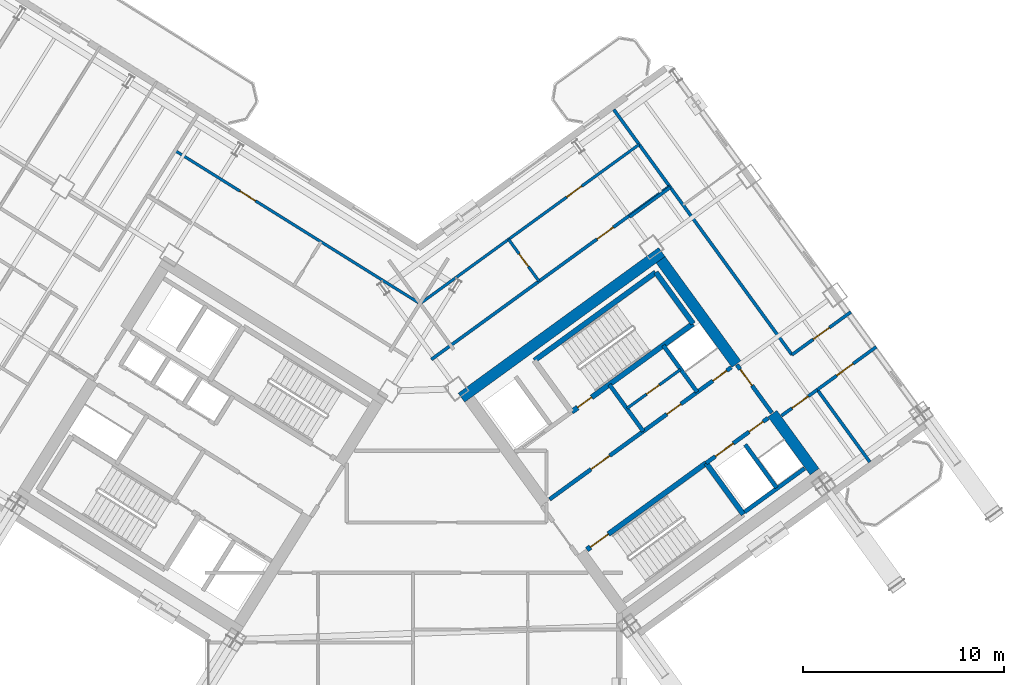
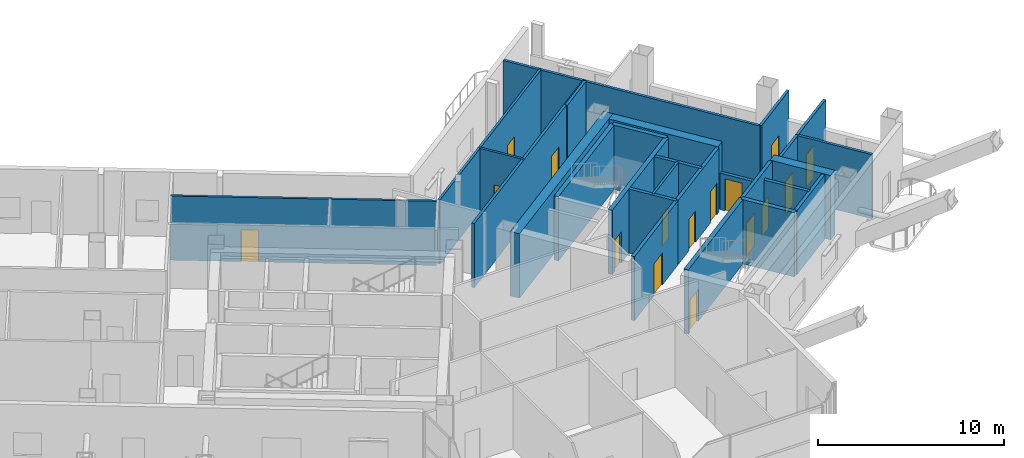
# One storey, part 24 of 32: 27 walls, 16 doors, 16 openings.
"""IFC4 building model written with IfcOpenShell, lengths in metres."""

from ifc_helpers import new_model, si_unit, direction, frame, frame_2d, origin, place, context, subcontext, project, spatial, rectangle, extrude, source, transform, mapped, material, layer, layer_set, type_object, element, fill, save


model = new_model("IFC4")

# Units and contexts
model_context = context("Model", 3, precision=1e-05, world=origin(), true_north=direction((0.0, 1.0)))
body_context = subcontext(model_context, "Body", "Model", "MODEL_VIEW")
ifc_project = project(units=[si_unit("LENGTHUNIT", "METRE"), si_unit("AREAUNIT", "SQUARE_METRE"), si_unit("VOLUMEUNIT", "CUBIC_METRE"), si_unit("PLANEANGLEUNIT", "RADIAN"), si_unit("MASSUNIT", "GRAM", prefix="KILO")], contexts=[model_context])

# Site, building, storey
site_placement = place(None, origin())
site = spatial("IfcSite", under=ifc_project, at=site_placement, CompositionType="ELEMENT")
building_placement = place(site_placement, origin())
building = spatial("IfcBuilding", under=site, at=building_placement, Name="Tlacorven Tower", CompositionType="ELEMENT")
storey_placement = place(building_placement, frame((0.0, 0.0, 123.300048828125)))
storey = spatial("IfcBuildingStorey", under=building, at=storey_placement, Name="L31", CompositionType="ELEMENT", Elevation=123.300048828125)

# Walls
ifc_material_1 = material(Name="Concrete C60/75", Category="concrete")
ifc_layer_1 = layer(ifc_material_1, 0.550048828125)
ifc_layer_set_1 = layer_set([ifc_layer_1], Name="Concrete C60/75")
wall_type_1 = type_object("IfcWallType", Name="WL-COR-550", PredefinedType="SHEAR", material=ifc_layer_set_1)
wall_1_placement = place(storey_placement, frame((44.364990234375, 24.142333984375, 0.0), z_axis=(0.0, 0.0, 1.0), x_axis=(0.809024304885, 0.587775190107, 0.0)))
element("IfcWall", 1, at=wall_1_placement, inside=storey, type_object=wall_type_1, Name="L31 E core shear wall S2", PredefinedType="SHEAR", context=body_context, shape_type="SweptSolid", body=[
    extrude(rectangle(XDim=12.340087890625, YDim=0.550048828125, at=frame_2d((6.169921875, 0.0))), origin(), (0.0, 0.0, 1.0), 4.219970703125),
])
wall_2_placement = place(storey_placement, frame((61.9580078125, 20.453857421875, 0.0), z_axis=(0.0, 0.0, 1.0), x_axis=(-0.587802113096, 0.809004744015, 0.0)))
element("IfcWall", 2, at=wall_2_placement, inside=storey, type_object=wall_type_1, Name="L31 E core end wall E2.1", PredefinedType="SHEAR", context=body_context, shape_type="SweptSolid", body=[
    extrude(rectangle(XDim=3.574951171875, YDim=0.550048828125, at=frame_2d((1.78759765625, 0.0))), origin(), (0.0, 0.0, 1.0), 4.219970703125),
])
wall_3_placement = place(storey_placement, frame((58.06396484375, 25.8134765625, 0.0), z_axis=(0.0, 0.0, 1.0), x_axis=(-0.587764933797, 0.809031756236, 0.0)))
element("IfcWall", 3, at=wall_3_placement, inside=storey, type_object=wall_type_1, Name="L31 E core end wall E2.2", PredefinedType="SHEAR", context=body_context, shape_type="SweptSolid", body=[
    extrude(rectangle(XDim=6.425048828125, YDim=0.550048828125, at=frame_2d((3.21240234375, 0.0))), origin(), (0.0, 0.0, 1.0), 4.219970703125),
])

# Wall, opening, door
ifc_material_2 = material(Name="Gypsum plasterboard acoustic partition", Category="gypsum")
ifc_layer_2 = layer(ifc_material_2, 0.159912109375)
ifc_layer_set_2 = layer_set([ifc_layer_2], Name="Gypsum plasterboard acoustic partition")
wall_type_2 = type_object("IfcWallType", Name="WL-DEM-160", PredefinedType="PARTITIONING", material=ifc_layer_set_2)
wall_4_placement = place(storey_placement, frame((60.306884765625, 23.240478515625, 0.0), z_axis=(0.0, 0.0, 1.0), x_axis=(0.80898466188, 0.58782975158, 0.0)))
wall_4 = element("IfcWall", 4, at=wall_4_placement, inside=storey, type_object=wall_type_2, Name="L31 partition 87", PredefinedType="PARTITIONING", context=body_context, shape_type="SweptSolid", body=[
    extrude(rectangle(XDim=2.207763671875, YDim=0.159912109375, at=frame_2d((1.10400390625, 0.0))), origin(), (0.0, 0.0, 1.0), 4.2099609375),
])
opening_1_placement = place(wall_4_placement, frame((0.64794921875, 0.0, 0.0)))
opening_1 = element("IfcOpeningElement", 5, at=opening_1_placement, cuts=wall_4, Name="Opening D11", PredefinedType="OPENING", context=body_context, shape_type="SweptSolid", body=[
    extrude(rectangle(XDim=1.0, YDim=2.10009765625, at=frame_2d((0.5, 1.050048828125))), frame((0.0, 0.08984375, 0.0), z_axis=(0.0, -1.0, 0.0), x_axis=(1.0, 0.0, 0.0)), (0.0, 0.0, 1.0), 0.179931640625),
])
ifc_material_3 = material(Name="Fire-rated steel door assembly", Category="steel")
door_type_1 = type_object("IfcDoorType", Name="DR-FLT-FD60-1000", OperationType="NOTDEFINED", PredefinedType="DOOR", material=ifc_material_3)
shared_shape_1 = source(origin(), body_context, "Body", "SweptSolid", [
    extrude(rectangle(XDim=1.0, YDim=2.10009765625, at=frame_2d((0.5, 1.050048828125))), frame((0.0, 0.02490234375, 0.0), z_axis=(0.0, -1.0, 0.0), x_axis=(1.0, 0.0, 0.0)), (0.0, 0.0, 1.0), 0.050048828125),
])
door_1_placement = place(opening_1_placement, frame((1.0, 0.0, 0.0), z_axis=(0.0, 0.0, 1.0), x_axis=(-1.0, 0.0, 0.0)))
door_1 = element("IfcDoor", 6, at=door_1_placement, inside=storey, type_object=door_type_1, Name="L31 door 056", OperationType="SINGLE_SWING_RIGHT", OverallHeight=2.10009765625, OverallWidth=1.0, PredefinedType="DOOR", context=body_context, shape_type="MappedRepresentation", body=[
    mapped(shared_shape_1, transform((0.0, 0.0, 0.0), scale=1.0)),
])
fill(opening_1, door_1)

# Walls
wall_5_placement = place(storey_placement, frame((52.73876953125, 33.143310546875, 0.0), z_axis=(0.0, 0.0, 1.0), x_axis=(0.809000999347, 0.58780726693, 0.0)))
element("IfcWall", 7, at=wall_5_placement, inside=storey, type_object=wall_type_2, Name="L31 partition 88", PredefinedType="PARTITIONING", context=body_context, shape_type="SweptSolid", body=[
    extrude(rectangle(XDim=2.510009765625, YDim=0.159912109375, at=frame_2d((1.2548828125, 0.0))), origin(), (0.0, 0.0, 1.0), 4.2099609375),
])
wall_6_placement = place(storey_placement, frame((64.708740234375, 20.93798828125, 0.0), z_axis=(0.0, 0.0, 1.0), x_axis=(-0.587773666605, 0.809025411743, 0.0)))
element("IfcWall", 8, at=wall_6_placement, inside=storey, type_object=wall_type_2, Name="L31 partition 89", PredefinedType="PARTITIONING", context=body_context, shape_type="SweptSolid", body=[
    extrude(rectangle(XDim=4.4501953125, YDim=0.159912109375, at=frame_2d((2.22509765625, 0.0))), origin(), (0.0, 0.0, 1.0), 4.2099609375),
])
wall_7_placement = place(storey_placement, frame((60.829345703125, 26.277587890625, 0.0), z_axis=(0.0, 0.0, 1.0), x_axis=(-0.587777474174, 0.809022645451, 0.0)))
element("IfcWall", 9, at=wall_7_placement, inside=storey, type_object=wall_type_2, Name="L31 partition 90", PredefinedType="PARTITIONING", context=body_context, shape_type="SweptSolid", body=[
    extrude(rectangle(XDim=15.10009765625, YDim=0.159912109375, at=frame_2d((7.550048828125, 0.0))), origin(), (0.0, 0.0, 1.0), 4.2099609375),
])

# Wall, opening, door
wall_8_placement = place(storey_placement, frame((62.093017578125, 24.538330078125, 0.0), z_axis=(0.0, 0.0, 1.0), x_axis=(0.809035546126, 0.58775971715, 0.0)))
wall_8 = element("IfcWall", 10, at=wall_8_placement, inside=storey, type_object=wall_type_2, Name="L31 partition 92", PredefinedType="PARTITIONING", context=body_context, shape_type="SweptSolid", body=[
    extrude(rectangle(XDim=3.6298828125, YDim=0.159912109375, at=frame_2d((1.81494140625, 0.0))), origin(), (0.0, 0.0, 1.0), 4.2099609375),
])
opening_2_placement = place(wall_8_placement, frame((1.199951171875, 0.0, 0.0)))
opening_2 = element("IfcOpeningElement", 11, at=opening_2_placement, cuts=wall_8, Name="Opening D11", PredefinedType="OPENING", context=body_context, shape_type="SweptSolid", body=[
    extrude(rectangle(XDim=1.0, YDim=2.10009765625, at=frame_2d((0.5, 1.050048828125))), frame((0.0, 0.08984375, 0.0), z_axis=(0.0, -1.0, 0.0), x_axis=(1.0, 0.0, 0.0)), (0.0, 0.0, 1.0), 0.179931640625),
])
door_2_placement = place(opening_2_placement, frame((1.0, 0.0, 0.0), z_axis=(0.0, 0.0, 1.0), x_axis=(-1.0, 0.0, 0.0)))
door_2 = element("IfcDoor", 12, at=door_2_placement, inside=storey, type_object=door_type_1, Name="L31 door 060", OperationType="SINGLE_SWING_RIGHT", OverallHeight=2.10009765625, OverallWidth=1.0, PredefinedType="DOOR", context=body_context, shape_type="MappedRepresentation", body=[
    mapped(shared_shape_1, transform((0.0, 0.0, 0.0), scale=1.0)),
])
fill(opening_2, door_2)

wall_9_placement = place(storey_placement, frame((60.829345703125, 26.277587890625, 0.0), z_axis=(0.0, 0.0, 1.0), x_axis=(0.809003564202, 0.587803736896, 0.0)))
wall_9 = element("IfcWall", 13, at=wall_9_placement, inside=storey, type_object=wall_type_2, Name="L31 partition 93", PredefinedType="PARTITIONING", context=body_context, shape_type="SweptSolid", body=[
    extrude(rectangle(XDim=3.630126953125, YDim=0.159912109375, at=frame_2d((1.81494140625, 0.0))), origin(), (0.0, 0.0, 1.0), 4.2099609375),
])
opening_3_placement = place(wall_9_placement, frame((1.304931640625, 0.0, 0.0)))
opening_3 = element("IfcOpeningElement", 14, at=opening_3_placement, cuts=wall_9, Name="Opening D11", PredefinedType="OPENING", context=body_context, shape_type="SweptSolid", body=[
    extrude(rectangle(XDim=1.0, YDim=2.10009765625, at=frame_2d((0.5, 1.050048828125))), frame((0.0, 0.08984375, 0.0), z_axis=(0.0, -1.0, 0.0), x_axis=(1.0, 0.0, 0.0)), (0.0, 0.0, 1.0), 0.179931640625),
])
door_3_placement = place(opening_3_placement, origin())
door_3 = element("IfcDoor", 15, at=door_3_placement, inside=storey, type_object=door_type_1, Name="L31 door 058", OperationType="SINGLE_SWING_LEFT", OverallHeight=2.10009765625, OverallWidth=1.0, PredefinedType="DOOR", context=body_context, shape_type="MappedRepresentation", body=[
    mapped(shared_shape_1, transform((0.0, 0.0, 0.0), scale=1.0)),
])
fill(opening_3, door_3)

wall_10_placement = place(storey_placement, frame((42.86572265625, 26.04443359375, 0.0), z_axis=(0.0, 0.0, 1.0), x_axis=(0.809020254154, 0.587780765566, 0.0)))
wall_10 = element("IfcWall", 16, at=wall_10_placement, inside=storey, type_object=wall_type_2, Name="L31 partition 95", PredefinedType="PARTITIONING", context=body_context, shape_type="SweptSolid", body=[
    extrude(rectangle(XDim=14.670166015625, YDim=0.159912109375, at=frame_2d((7.3349609375, 0.0))), origin(), (0.0, 0.0, 1.0), 4.2099609375),
])
opening_4_placement = place(wall_10_placement, frame((10.199951171875, 0.0, 0.0)))
opening_4 = element("IfcOpeningElement", 17, at=opening_4_placement, cuts=wall_10, Name="Opening D11", PredefinedType="OPENING", context=body_context, shape_type="SweptSolid", body=[
    extrude(rectangle(XDim=1.0, YDim=2.10009765625, at=frame_2d((0.5, 1.050048828125))), frame((0.0, 0.08984375, 0.0), z_axis=(0.0, -1.0, 0.0), x_axis=(1.0, 0.0, 0.0)), (0.0, 0.0, 1.0), 0.179931640625),
])
door_4_placement = place(opening_4_placement, origin())
door_4 = element("IfcDoor", 18, at=door_4_placement, inside=storey, type_object=door_type_1, Name="L31 door 061", OperationType="SINGLE_SWING_LEFT", OverallHeight=2.10009765625, OverallWidth=1.0, PredefinedType="DOOR", context=body_context, shape_type="MappedRepresentation", body=[
    mapped(shared_shape_1, transform((0.0, 0.0, 0.0), scale=1.0)),
])
fill(opening_4, door_4)

ifc_material_4 = material(Name="Moisture-resistant gypsum plumbing wall", Category="gypsum")
ifc_layer_3 = layer(ifc_material_4, 0.139892578125)
ifc_layer_set_3 = layer_set([ifc_layer_3], Name="Moisture-resistant gypsum plumbing wall")
wall_type_3 = type_object("IfcWallType", Name="WL-PLM-140", PredefinedType="PLUMBINGWALL", material=ifc_layer_set_3)
wall_11_placement = place(storey_placement, frame((52.617919921875, 23.612060546875, 0.0), z_axis=(0.0, 0.0, 1.0), x_axis=(0.809009587469, 0.587795446889, 0.0)))
wall_11 = element("IfcWall", 19, at=wall_11_placement, inside=storey, type_object=wall_type_3, Name="L31 partition 41", PredefinedType="PLUMBINGWALL", context=body_context, shape_type="SweptSolid", body=[
    extrude(rectangle(XDim=3.280029296875, YDim=0.139892578125, at=frame_2d((1.64013671875, 0.0))), origin(), (0.0, 0.0, 1.0), 4.2099609375),
])
opening_5_placement = place(wall_11_placement, frame((1.199951171875, 0.0, 0.0)))
opening_5 = element("IfcOpeningElement", 20, at=opening_5_placement, cuts=wall_11, Name="Opening D22", PredefinedType="OPENING", context=body_context, shape_type="SweptSolid", body=[
    extrude(rectangle(XDim=0.780029296875, YDim=2.050048828125, at=frame_2d((0.39013671875, 1.02490234375))), frame((0.0, 0.080078125, 0.0), z_axis=(0.0, -1.0, 0.0), x_axis=(1.0, 0.0, 0.0)), (0.0, 0.0, 1.0), 0.159912109375),
])
ifc_material_5 = material(Name="Powder-coated aluminium and timber door", Category="wood")
door_type_2 = type_object("IfcDoorType", Name="DR-INT-WET-0780", OperationType="NOTDEFINED", PredefinedType="DOOR", material=ifc_material_5)
shared_shape_2 = source(origin(), body_context, "Body", "SweptSolid", [
    extrude(rectangle(XDim=0.780029296875, YDim=2.050048828125, at=frame_2d((0.39013671875, 1.02490234375))), frame((0.0, 0.02490234375, 0.0), z_axis=(0.0, -1.0, 0.0), x_axis=(1.0, 0.0, 0.0)), (0.0, 0.0, 1.0), 0.050048828125),
])
door_5_placement = place(opening_5_placement, origin())
door_5 = element("IfcDoor", 21, at=door_5_placement, inside=storey, type_object=door_type_2, Name="L31 door 019", OperationType="SINGLE_SWING_RIGHT", OverallHeight=2.050048828125, OverallWidth=0.780029296875, PredefinedType="DOOR", context=body_context, shape_type="MappedRepresentation", body=[
    mapped(shared_shape_2, transform((0.0, 0.0, 0.0), scale=1.0)),
])
fill(opening_5, door_5)

wall_12_placement = place(storey_placement, frame((42.226318359375, 28.872802734375, 0.0), z_axis=(0.0, 0.0, 1.0), x_axis=(-0.848049134363, 0.529917602752, 0.0)))
wall_12 = element("IfcWall", 22, at=wall_12_placement, inside=storey, type_object=wall_type_3, Name="L31 partition 68", PredefinedType="PLUMBINGWALL", context=body_context, shape_type="SweptSolid", body=[
    extrude(rectangle(XDim=14.300048828125, YDim=0.139892578125, at=frame_2d((7.14990234375, 0.0))), origin(), (0.0, 0.0, 1.0), 4.2099609375),
])
opening_6_placement = place(wall_12_placement, frame((9.570068359375, 0.0, 0.0)))
opening_6 = element("IfcOpeningElement", 23, at=opening_6_placement, cuts=wall_12, Name="Opening D12", PredefinedType="OPENING", context=body_context, shape_type="SweptSolid", body=[
    extrude(rectangle(XDim=0.919921875, YDim=2.080078125, at=frame_2d((0.4599609375, 1.0400390625))), frame((0.0, 0.080078125, 0.0), z_axis=(0.0, -1.0, 0.0), x_axis=(1.0, 0.0, 0.0)), (0.0, 0.0, 1.0), 0.159912109375),
])
door_type_3 = type_object("IfcDoorType", Name="DR-INT-ROOM-0920", OperationType="NOTDEFINED", PredefinedType="DOOR", material=ifc_material_5)
shared_shape_3 = source(origin(), body_context, "Body", "SweptSolid", [
    extrude(rectangle(XDim=0.919921875, YDim=2.080078125, at=frame_2d((0.4599609375, 1.0400390625))), frame((0.0, 0.02490234375, 0.0), z_axis=(0.0, -1.0, 0.0), x_axis=(1.0, 0.0, 0.0)), (0.0, 0.0, 1.0), 0.050048828125),
])
door_6_placement = place(opening_6_placement, origin())
door_6 = element("IfcDoor", 24, at=door_6_placement, inside=storey, type_object=door_type_3, Name="L31 door 041", OperationType="SINGLE_SWING_LEFT", OverallHeight=2.080078125, OverallWidth=0.919921875, PredefinedType="DOOR", context=body_context, shape_type="MappedRepresentation", body=[
    mapped(shared_shape_3, transform((0.0, 0.0, 0.0), scale=1.0)),
])
fill(opening_6, door_6)

wall_13_placement = place(storey_placement, frame((42.376708984375, 28.878173828125, 0.0), z_axis=(0.0, 0.0, 1.0), x_axis=(0.809020411523, 0.587780548963, 0.0)))
wall_13 = element("IfcWall", 25, at=wall_13_placement, inside=storey, type_object=wall_type_3, Name="L31 partition 97", PredefinedType="PLUMBINGWALL", context=body_context, shape_type="SweptSolid", body=[
    extrude(rectangle(XDim=13.39990234375, YDim=0.139892578125, at=frame_2d((6.699951171875, 0.0))), origin(), (0.0, 0.0, 1.0), 4.2099609375),
])
opening_7_placement = place(wall_13_placement, frame((8.93994140625, 0.0, 0.0)))
opening_7 = element("IfcOpeningElement", 26, at=opening_7_placement, cuts=wall_13, Name="Opening D12", PredefinedType="OPENING", context=body_context, shape_type="SweptSolid", body=[
    extrude(rectangle(XDim=0.919921875, YDim=2.080078125, at=frame_2d((0.4599609375, 1.0400390625))), frame((0.0, 0.080078125, 0.0), z_axis=(0.0, -1.0, 0.0), x_axis=(1.0, 0.0, 0.0)), (0.0, 0.0, 1.0), 0.159912109375),
])
door_7_placement = place(opening_7_placement, origin())
door_7 = element("IfcDoor", 27, at=door_7_placement, inside=storey, type_object=door_type_3, Name="L31 door 062", OperationType="SINGLE_SWING_RIGHT", OverallHeight=2.080078125, OverallWidth=0.919921875, PredefinedType="DOOR", context=body_context, shape_type="MappedRepresentation", body=[
    mapped(shared_shape_3, transform((0.0, 0.0, 0.0), scale=1.0)),
])
fill(opening_7, door_7)

wall_14_placement = place(storey_placement, frame((48.2294921875, 29.94140625, 0.0), z_axis=(0.0, 0.0, 1.0), x_axis=(-0.587772116736, 0.809026537752, 0.0)))
wall_14 = element("IfcWall", 28, at=wall_14_placement, inside=storey, type_object=wall_type_3, Name="L31 partition 98", PredefinedType="PLUMBINGWALL", context=body_context, shape_type="SweptSolid", body=[
    extrude(rectangle(XDim=2.579833984375, YDim=0.139892578125, at=frame_2d((1.2900390625, 0.0))), origin(), (0.0, 0.0, 1.0), 4.2099609375),
])
opening_8_placement = place(wall_14_placement, frame((0.89990234375, 0.0, 0.0)))
opening_8 = element("IfcOpeningElement", 29, at=opening_8_placement, cuts=wall_14, Name="Opening D22", PredefinedType="OPENING", context=body_context, shape_type="SweptSolid", body=[
    extrude(rectangle(XDim=0.780029296875, YDim=2.050048828125, at=frame_2d((0.39013671875, 1.02490234375))), frame((0.0, 0.080078125, 0.0), z_axis=(0.0, -1.0, 0.0), x_axis=(1.0, 0.0, 0.0)), (0.0, 0.0, 1.0), 0.159912109375),
])
door_8_placement = place(opening_8_placement, origin())
door_8 = element("IfcDoor", 30, at=door_8_placement, inside=storey, type_object=door_type_2, Name="L31 door 063", OperationType="SINGLE_SWING_LEFT", OverallHeight=2.050048828125, OverallWidth=0.780029296875, PredefinedType="DOOR", context=body_context, shape_type="MappedRepresentation", body=[
    mapped(shared_shape_2, transform((0.0, 0.0, 0.0), scale=1.0)),
])
fill(opening_8, door_8)

ifc_material_6 = material(Name="Concrete C40/50", Category="concrete")
ifc_layer_4 = layer(ifc_material_6, 0.199951171875)
ifc_layer_set_4 = layer_set([ifc_layer_4], Name="Concrete C40/50")
wall_type_4 = type_object("IfcWallType", Name="WL-SHF-200", PredefinedType="STANDARD", material=ifc_layer_set_4)
wall_15_placement = place(storey_placement, frame((48.75830078125, 19.0771484375, 0.0), z_axis=(0.0, 0.0, 1.0), x_axis=(0.809005065155, 0.587801671104, 0.0)))
wall_15 = element("IfcWall", 31, at=wall_15_placement, inside=storey, type_object=wall_type_4, Name="L31 Core E Smoke Lobby Wall", PredefinedType="STANDARD", context=body_context, shape_type="SweptSolid", body=[
    extrude(rectangle(XDim=5.767822265625, YDim=0.199951171875, at=frame_2d((2.8837890625, 0.0))), origin(), (0.0, 0.0, 1.0), 4.2099609375),
])
opening_9_placement = place(wall_15_placement, frame((2.548095703125, 0.0, 0.0)))
opening_9 = element("IfcOpeningElement", 32, at=opening_9_placement, cuts=wall_15, Name="Opening D09", PredefinedType="OPENING", context=body_context, shape_type="SweptSolid", body=[
    extrude(rectangle(XDim=1.14990234375, YDim=2.10009765625, at=frame_2d((0.574951171875, 1.050048828125))), frame((0.0, 0.10986328125, 0.0), z_axis=(0.0, -1.0, 0.0), x_axis=(1.0, 0.0, 0.0)), (0.0, 0.0, 1.0), 0.219970703125),
])
door_type_4 = type_object("IfcDoorType", Name="DR-FFL-FD60-1150", OperationType="NOTDEFINED", PredefinedType="DOOR", material=ifc_material_3)
shared_shape_4 = source(origin(), body_context, "Body", "SweptSolid", [
    extrude(rectangle(XDim=1.14990234375, YDim=2.10009765625, at=frame_2d((0.574951171875, 1.050048828125))), frame((0.0, 0.02490234375, 0.0), z_axis=(0.0, -1.0, 0.0), x_axis=(1.0, 0.0, 0.0)), (0.0, 0.0, 1.0), 0.050048828125),
])
door_9_placement = place(opening_9_placement, origin())
door_9 = element("IfcDoor", 33, at=door_9_placement, inside=storey, type_object=door_type_4, Name="L31 Firefighting Lobby E Fire Door", OperationType="SINGLE_SWING_RIGHT", OverallHeight=2.10009765625, OverallWidth=1.14990234375, PredefinedType="DOOR", context=body_context, shape_type="MappedRepresentation", body=[
    mapped(shared_shape_4, transform((0.0, 0.0, 0.0), scale=1.0)),
])
fill(opening_9, door_9)

# Wall, openings, doors
wall_16_placement = place(storey_placement, frame((56.552978515625, 20.884033203125, 0.0), z_axis=(0.0, 0.0, 1.0), x_axis=(0.809023564264, 0.58777620951, 0.0)))
wall_16 = element("IfcWall", 34, at=wall_16_placement, inside=storey, type_object=wall_type_4, Name="L31 Core E South Lift Shaft Wall", PredefinedType="STANDARD", context=body_context, shape_type="SweptSolid", body=[
    extrude(rectangle(XDim=3.818115234375, YDim=0.199951171875, at=frame_2d((1.9091796875, 0.0))), origin(), (0.0, 0.0, 1.0), 4.2099609375),
])
opening_10_placement = place(wall_16_placement, frame((0.570068359375, 0.0, 0.0)))
opening_10 = element("IfcOpeningElement", 35, at=opening_10_placement, cuts=wall_16, Name="Opening LD01", PredefinedType="OPENING", context=body_context, shape_type="SweptSolid", body=[
    extrude(rectangle(XDim=1.10009765625, YDim=2.14990234375, at=frame_2d((0.550048828125, 1.074951171875))), frame((0.0, 0.10986328125, 0.0), z_axis=(0.0, -1.0, 0.0), x_axis=(1.0, 0.0, 0.0)), (0.0, 0.0, 1.0), 0.219970703125),
])
opening_11_placement = place(wall_16_placement, frame((2.64990234375, 0.0, 0.0)))
opening_11 = element("IfcOpeningElement", 36, at=opening_11_placement, cuts=wall_16, Name="Opening D19", PredefinedType="OPENING", context=body_context, shape_type="SweptSolid", body=[
    extrude(rectangle(XDim=0.860107421875, YDim=2.050048828125, at=frame_2d((0.43017578125, 1.02490234375))), frame((0.0, 0.10986328125, 0.0), z_axis=(0.0, -1.0, 0.0), x_axis=(1.0, 0.0, 0.0)), (0.0, 0.0, 1.0), 0.219970703125),
])
door_type_5 = type_object("IfcDoorType", Name="DR-RSR-FD60-0860", OperationType="NOTDEFINED", PredefinedType="DOOR", material=ifc_material_3)
shared_shape_5 = source(origin(), body_context, "Body", "SweptSolid", [
    extrude(rectangle(XDim=0.860107421875, YDim=2.050048828125, at=frame_2d((0.43017578125, 1.02490234375))), frame((0.0, 0.02490234375, 0.0), z_axis=(0.0, -1.0, 0.0), x_axis=(1.0, 0.0, 0.0)), (0.0, 0.0, 1.0), 0.050048828125),
])
door_10_placement = place(opening_11_placement, origin())
door_10 = element("IfcDoor", 37, at=door_10_placement, inside=storey, type_object=door_type_5, Name="L31 Smoke Extract Riser Access Door", OperationType="SINGLE_SWING_LEFT", OverallHeight=2.050048828125, OverallWidth=0.860107421875, PredefinedType="DOOR", context=body_context, shape_type="MappedRepresentation", body=[
    mapped(shared_shape_5, transform((0.0, 0.0, 0.0), scale=1.0)),
])
fill(opening_11, door_10)
door_type_6 = type_object("IfcDoorType", Name="DR-LFT-SLID-1100", OperationType="DOUBLE_DOOR_SLIDING", PredefinedType="DOOR", material=ifc_material_3)
shared_shape_6 = source(origin(), body_context, "Body", "SweptSolid", [
    extrude(rectangle(XDim=1.10009765625, YDim=2.14990234375, at=frame_2d((0.550048828125, 1.074951171875))), frame((0.0, 0.02490234375, 0.0), z_axis=(0.0, -1.0, 0.0), x_axis=(1.0, 0.0, 0.0)), (0.0, 0.0, 1.0), 0.050048828125),
])
door_11_placement = place(opening_10_placement, origin())
door_11 = element("IfcDoor", 38, at=door_11_placement, inside=storey, type_object=door_type_6, Name="L31 Lift PL-M4 Sliding Landing Door", OperationType="DOUBLE_DOOR_SLIDING", OverallHeight=2.14990234375, OverallWidth=1.10009765625, PredefinedType="DOOR", context=body_context, shape_type="MappedRepresentation", body=[
    mapped(shared_shape_6, transform((0.0, 0.0, 0.0), scale=1.0)),
])
fill(opening_10, door_11)

# Walls
wall_17_placement = place(storey_placement, frame((60.066650390625, 19.654541015625, 0.0), z_axis=(0.0, 0.0, 1.0), x_axis=(-0.587800520745, 0.809005900975, 0.0)))
element("IfcWall", 39, at=wall_17_placement, inside=storey, type_object=wall_type_4, Name="L31 partition 34", PredefinedType="STANDARD", context=body_context, shape_type="SweptSolid", body=[
    extrude(rectangle(XDim=2.659912109375, YDim=0.199951171875, at=frame_2d((1.330078125, 0.0))), origin(), (0.0, 0.0, 1.0), 4.2099609375),
])
wall_18_placement = place(storey_placement, frame((58.47216796875, 18.446533203125, 0.0), z_axis=(0.0, 0.0, 1.0), x_axis=(0.809018631237, 0.587782999339, 0.0)))
element("IfcWall", 40, at=wall_18_placement, inside=storey, type_object=wall_type_4, Name="L31 partition 36", PredefinedType="STANDARD", context=body_context, shape_type="SweptSolid", body=[
    extrude(rectangle(XDim=3.697998046875, YDim=0.199951171875, at=frame_2d((1.84912109375, 0.0))), origin(), (0.0, 0.0, 1.0), 4.2099609375),
])
wall_19_placement = place(storey_placement, frame((53.424560546875, 22.467529296875, 0.0), z_axis=(0.0, 0.0, 1.0), x_axis=(-0.5877230039, 0.809062216821, 0.0)))
element("IfcWall", 41, at=wall_19_placement, inside=storey, type_object=wall_type_4, Name="L31 partition 38", PredefinedType="STANDARD", context=body_context, shape_type="SweptSolid", body=[
    extrude(rectangle(XDim=2.8798828125, YDim=0.199951171875, at=frame_2d((1.43994140625, 0.0))), origin(), (0.0, 0.0, 1.0), 4.2099609375),
])
wall_20_placement = place(storey_placement, frame((56.110595703125, 24.4189453125, 0.0), z_axis=(0.0, 0.0, 1.0), x_axis=(-0.58777848983, 0.809021907548, 0.0)))
element("IfcWall", 42, at=wall_20_placement, inside=storey, type_object=wall_type_4, Name="L31 partition 39", PredefinedType="STANDARD", context=body_context, shape_type="SweptSolid", body=[
    extrude(rectangle(XDim=2.880126953125, YDim=0.199951171875, at=frame_2d((1.43994140625, 0.0))), origin(), (0.0, 0.0, 1.0), 4.2099609375),
])

# Wall, openings, doors
wall_21_placement = place(storey_placement, frame((53.424560546875, 22.467529296875, 0.0), z_axis=(0.0, 0.0, 1.0), x_axis=(0.809024377198, 0.587775090574, 0.0)))
wall_21 = element("IfcWall", 43, at=wall_21_placement, inside=storey, type_object=wall_type_4, Name="L31 Core E North Service Wall", PredefinedType="STANDARD", context=body_context, shape_type="SweptSolid", body=[
    extrude(rectangle(XDim=5.41796875, YDim=0.199951171875, at=frame_2d((2.708984375, 0.0))), origin(), (0.0, 0.0, 1.0), 4.2099609375),
])
opening_12_placement = place(wall_21_placement, frame((4.280029296875, 0.0, 0.0)))
opening_12 = element("IfcOpeningElement", 44, at=opening_12_placement, cuts=wall_21, Name="Opening D19", PredefinedType="OPENING", context=body_context, shape_type="SweptSolid", body=[
    extrude(rectangle(XDim=0.860107421875, YDim=2.050048828125, at=frame_2d((0.43017578125, 1.02490234375))), frame((0.0, 0.10986328125, 0.0), z_axis=(0.0, -1.0, 0.0), x_axis=(1.0, 0.0, 0.0)), (0.0, 0.0, 1.0), 0.219970703125),
])
opening_13_placement = place(wall_21_placement, frame((1.449951171875, 0.0, 0.0)))
opening_13 = element("IfcOpeningElement", 45, at=opening_13_placement, cuts=wall_21, Name="Opening D19", PredefinedType="OPENING", context=body_context, shape_type="SweptSolid", body=[
    extrude(rectangle(XDim=0.860107421875, YDim=2.050048828125, at=frame_2d((0.43017578125, 1.02490234375))), frame((0.0, 0.10986328125, 0.0), z_axis=(0.0, -1.0, 0.0), x_axis=(1.0, 0.0, 0.0)), (0.0, 0.0, 1.0), 0.219970703125),
])
door_12_placement = place(opening_12_placement, frame((0.860107421875, 0.0, 0.0), z_axis=(0.0, 0.0, 1.0), x_axis=(-1.0, 0.0, 0.0)))
door_12 = element("IfcDoor", 46, at=door_12_placement, inside=storey, type_object=door_type_5, Name="L31 Electrical Riser Access Door E", OperationType="SINGLE_SWING_RIGHT", OverallHeight=2.050048828125, OverallWidth=0.860107421875, PredefinedType="DOOR", context=body_context, shape_type="MappedRepresentation", body=[
    mapped(shared_shape_5, transform((0.0, 0.0, 0.0), scale=1.0)),
])
fill(opening_12, door_12)
door_13_placement = place(opening_13_placement, frame((0.860107421875, 0.0, 0.0), z_axis=(0.0, 0.0, 1.0), x_axis=(-1.0, 0.0, 0.0)))
door_13 = element("IfcDoor", 47, at=door_13_placement, inside=storey, type_object=door_type_5, Name="L31 Cleaner Store Access Door E", OperationType="SINGLE_SWING_LEFT", OverallHeight=2.050048828125, OverallWidth=0.860107421875, PredefinedType="DOOR", context=body_context, shape_type="MappedRepresentation", body=[
    mapped(shared_shape_5, transform((0.0, 0.0, 0.0), scale=1.0)),
])
fill(opening_13, door_13)

# Wall, opening, door
wall_22_placement = place(storey_placement, frame((59.827392578125, 23.386474609375, 0.0), z_axis=(0.0, 0.0, 1.0), x_axis=(-0.587803840107, 0.809003489211, 0.0)))
wall_22 = element("IfcWall", 48, at=wall_22_placement, inside=storey, type_object=wall_type_4, Name="L31 partition 86", PredefinedType="STANDARD", context=body_context, shape_type="SweptSolid", body=[
    extrude(rectangle(XDim=2.960205078125, YDim=0.199951171875, at=frame_2d((1.47998046875, 0.0))), origin(), (0.0, 0.0, 1.0), 2.39501953125),
])
opening_14_placement = place(wall_22_placement, frame((1.679931640625, 0.0, 0.0)))
opening_14 = element("IfcOpeningElement", 49, at=opening_14_placement, cuts=wall_22, Name="Opening D11", PredefinedType="OPENING", context=body_context, shape_type="SweptSolid", body=[
    extrude(rectangle(XDim=1.0, YDim=2.10009765625, at=frame_2d((0.5, 1.050048828125))), frame((0.0, 0.10986328125, 0.0), z_axis=(0.0, -1.0, 0.0), x_axis=(1.0, 0.0, 0.0)), (0.0, 0.0, 1.0), 0.219970703125),
])
door_14_placement = place(opening_14_placement, origin())
door_14 = element("IfcDoor", 50, at=door_14_placement, inside=storey, type_object=door_type_1, Name="L31 door 057", OperationType="SINGLE_SWING_LEFT", OverallHeight=2.10009765625, OverallWidth=1.0, PredefinedType="DOOR", context=body_context, shape_type="MappedRepresentation", body=[
    mapped(shared_shape_1, transform((0.0, 0.0, 0.0), scale=1.0)),
])
fill(opening_14, door_14)

# Wall
ifc_material_7 = material(Name="Concrete C50/60", Category="concrete")
ifc_layer_5 = layer(ifc_material_7, 0.260009765625)
ifc_layer_set_5 = layer_set([ifc_layer_5], Name="Concrete C50/60")
wall_type_5 = type_object("IfcWallType", Name="WL-STW-260", PredefinedType="SHEAR", material=ifc_layer_set_5)
wall_23_placement = place(storey_placement, frame((48.005615234375, 25.996337890625, 0.0), z_axis=(0.0, 0.0, 1.0), x_axis=(0.80901903764, 0.587782439969, 0.0)))
element("IfcWall", 51, at=wall_23_placement, inside=storey, type_object=wall_type_5, Name="L31 Stair E1 Far Shear Wall", PredefinedType="SHEAR", context=body_context, shape_type="SweptSolid", body=[
    extrude(rectangle(XDim=7.4599609375, YDim=0.260009765625, at=frame_2d((3.72998046875, 0.0))), origin(), (0.0, 0.0, 1.0), 4.219970703125),
])

# Wall, opening, door
wall_24_placement = place(storey_placement, frame((49.863037109375, 23.439697265625, 0.0), z_axis=(0.0, 0.0, 1.0), x_axis=(0.809003474932, 0.587803859759, 0.0)))
wall_24 = element("IfcWall", 52, at=wall_24_placement, inside=storey, type_object=wall_type_5, Name="L31 Stair E1 Lobby Shear Wall", PredefinedType="SHEAR", context=body_context, shape_type="SweptSolid", body=[
    extrude(rectangle(XDim=7.4599609375, YDim=0.260009765625, at=frame_2d((3.72998046875, 0.0))), origin(), (0.0, 0.0, 1.0), 4.219970703125),
])
opening_15_placement = place(wall_24_placement, frame((0.360107421875, 0.0, 0.0)))
opening_15 = element("IfcOpeningElement", 53, at=opening_15_placement, cuts=wall_24, Name="Opening D19", PredefinedType="OPENING", context=body_context, shape_type="SweptSolid", body=[
    extrude(rectangle(XDim=0.860107421875, YDim=2.050048828125, at=frame_2d((0.43017578125, 1.02490234375))), frame((0.0, 0.14013671875, 0.0), z_axis=(0.0, -1.0, 0.0), x_axis=(1.0, 0.0, 0.0)), (0.0, 0.0, 1.0), 0.280029296875),
])
door_15_placement = place(opening_15_placement, frame((0.860107421875, 0.0, 0.0), z_axis=(0.0, 0.0, 1.0), x_axis=(-1.0, 0.0, 0.0)))
door_15 = element("IfcDoor", 54, at=door_15_placement, inside=storey, type_object=door_type_5, Name="L31 Exit Stair E1 Fire Door", OperationType="SINGLE_SWING_LEFT", OverallHeight=2.050048828125, OverallWidth=0.860107421875, PredefinedType="DOOR", context=body_context, shape_type="MappedRepresentation", body=[
    mapped(shared_shape_5, transform((0.0, 0.0, 0.0), scale=1.0)),
])
fill(opening_15, door_15)

# Wall
wall_25_placement = place(storey_placement, frame((55.906494140625, 27.83056640625, 0.0), z_axis=(0.0, 0.0, 1.0), x_axis=(-0.587804123638, 0.809003283204, 0.0)))
element("IfcWall", 55, at=wall_25_placement, inside=storey, type_object=wall_type_5, Name="L31 Stair E1 East Shear Wall", PredefinedType="SHEAR", context=body_context, shape_type="SweptSolid", body=[
    extrude(rectangle(XDim=3.159912109375, YDim=0.260009765625, at=frame_2d((1.580078125, 0.0))), origin(), (0.0, 0.0, 1.0), 4.219970703125),
])

# Wall, opening, door
wall_26_placement = place(storey_placement, frame((50.61474609375, 16.569580078125, 0.0), z_axis=(0.0, 0.0, 1.0), x_axis=(0.809028366311, 0.587769599847, 0.0)))
wall_26 = element("IfcWall", 56, at=wall_26_placement, inside=storey, type_object=wall_type_5, Name="L31 Stair E2 Lobby Shear Wall", PredefinedType="SHEAR", context=body_context, shape_type="SweptSolid", body=[
    extrude(rectangle(XDim=7.330078125, YDim=0.260009765625, at=frame_2d((3.6650390625, 0.0))), origin(), (0.0, 0.0, 1.0), 4.219970703125),
])
opening_16_placement = place(wall_26_placement, frame((0.219970703125, 0.0, 0.0)))
opening_16 = element("IfcOpeningElement", 57, at=opening_16_placement, cuts=wall_26, Name="Opening D07", PredefinedType="OPENING", context=body_context, shape_type="SweptSolid", body=[
    extrude(rectangle(XDim=1.10009765625, YDim=2.10009765625, at=frame_2d((0.550048828125, 1.050048828125))), frame((0.0, 0.14013671875, 0.0), z_axis=(0.0, -1.0, 0.0), x_axis=(1.0, 0.0, 0.0)), (0.0, 0.0, 1.0), 0.280029296875),
])
door_type_7 = type_object("IfcDoorType", Name="DR-STR-FD90-1100", OperationType="NOTDEFINED", PredefinedType="DOOR", material=ifc_material_3)
shared_shape_7 = source(origin(), body_context, "Body", "SweptSolid", [
    extrude(rectangle(XDim=1.10009765625, YDim=2.10009765625, at=frame_2d((0.550048828125, 1.050048828125))), frame((0.0, 0.02490234375, 0.0), z_axis=(0.0, -1.0, 0.0), x_axis=(1.0, 0.0, 0.0)), (0.0, 0.0, 1.0), 0.050048828125),
])
door_16_placement = place(opening_16_placement, origin())
door_16 = element("IfcDoor", 58, at=door_16_placement, inside=storey, type_object=door_type_7, Name="L31 Exit Stair E2 Fire Door", OperationType="SINGLE_SWING_LEFT", OverallHeight=2.10009765625, OverallWidth=1.10009765625, PredefinedType="DOOR", context=body_context, shape_type="MappedRepresentation", body=[
    mapped(shared_shape_7, transform((0.0, 0.0, 0.0), scale=1.0)),
])
fill(opening_16, door_16)

# Wall
wall_27_placement = place(storey_placement, frame((58.410400390625, 18.327392578125, 0.0), z_axis=(0.0, 0.0, 1.0), x_axis=(-0.58776738483, 0.809029975545, 0.0)))
element("IfcWall", 59, at=wall_27_placement, inside=storey, type_object=wall_type_5, Name="L31 Stair E2 East Shear Wall", PredefinedType="SHEAR", context=body_context, shape_type="SweptSolid", body=[
    extrude(rectangle(XDim=3.16015625, YDim=0.260009765625, at=frame_2d((1.580078125, 0.0))), origin(), (0.0, 0.0, 1.0), 4.219970703125),
])

save(model, "model.ifc")
